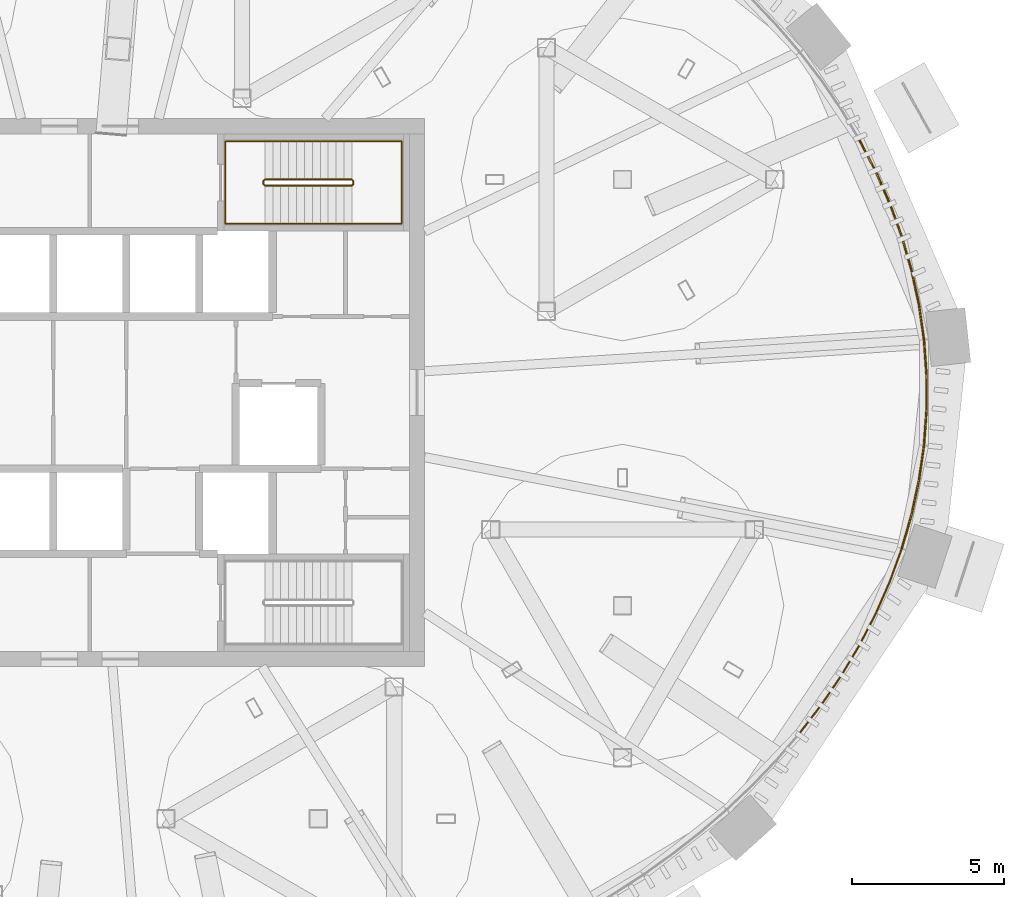
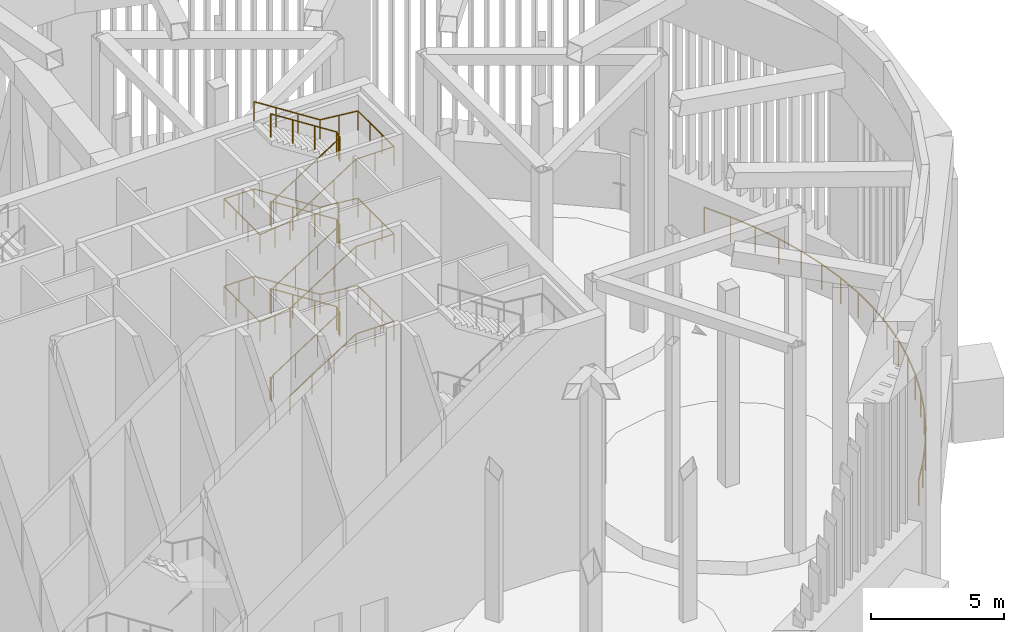
# One storey, part 13 of 14: 5 railings.
"""IFC4 building model written with IfcOpenShell, lengths in metres."""

from ifc_helpers import new_model, si_unit, direction, frame, origin, origin_2d, place, context, subcontext, project, spatial, circle, extrude, source, transform, mapped, material, type_object, element, save


model = new_model("IFC4")

# Units and contexts
model_context = context("Model", 3, precision=1e-05, world=origin(), true_north=direction((0.0, 1.0)))
body_context = subcontext(model_context, "Body", "Model", "MODEL_VIEW")
ifc_project = project(units=[si_unit("LENGTHUNIT", "METRE"), si_unit("AREAUNIT", "SQUARE_METRE"), si_unit("VOLUMEUNIT", "CUBIC_METRE"), si_unit("PLANEANGLEUNIT", "RADIAN"), si_unit("MASSUNIT", "GRAM", prefix="KILO")], contexts=[model_context])

# Site, building, storey
site_placement = place(None, origin())
site = spatial("IfcSite", under=ifc_project, at=site_placement, CompositionType="ELEMENT")
building_placement = place(site_placement, origin())
building = spatial("IfcBuilding", under=site, at=building_placement, Name="Embergate Tower", CompositionType="ELEMENT")
storey_placement = place(building_placement, frame((0.0, 0.0, 340.0)))
storey = spatial("IfcBuildingStorey", under=building, at=storey_placement, Name="L79", CompositionType="ELEMENT", Elevation=340.0)

# Railings
ifc_material_1 = material(Name="Steel Q355B", Category="steel")
railing_type_1 = type_object("IfcRailingType", Name="Slot edge guard", PredefinedType="GUARDRAIL", material=ifc_material_1)
shared_shape_1 = source(origin(), body_context, "Body", "SweptSolid", [
    extrude(circle(Radius=0.030029296875, at=origin_2d()), frame((0.0, 0.0, 1.169921875), z_axis=(-0.141599413092, 0.989924040627, 0.0), x_axis=(-0.989924040627, -0.141599413092, 0.0)), (0.0, 0.0, 1.0), 1.15185546875),
    extrude(circle(Radius=0.030029296875, at=origin_2d()), frame((-0.1630859375, 1.14013671875, 1.169921875), z_axis=(-0.210608768615, 0.977570430497, 0.0), x_axis=(-0.977570430497, -0.210608768615, 0.0)), (0.0, 0.0, 1.0), 1.157958984375),
    extrude(circle(Radius=0.030029296875, at=origin_2d()), frame((-0.406982421875, 2.272216796875, 1.169921875), z_axis=(-0.277127181901, 0.960833245184, 0.0), x_axis=(-0.960833245184, -0.277127181901, 0.0)), (0.0, 0.0, 1.0), 1.16552734375),
    extrude(circle(Radius=0.030029296875, at=origin_2d()), frame((-0.72998046875, 3.39208984375, 1.169921875), z_axis=(-0.340752323207, 0.940153101483, 0.0), x_axis=(-0.940153101483, -0.340752323207, 0.0)), (0.0, 0.0, 1.0), 1.147705078125),
    extrude(circle(Radius=0.030029296875, at=origin_2d()), frame((-1.12109375, 4.47119140625, 1.169921875), z_axis=(-0.402166680093, 0.915566470237, 0.0), x_axis=(-0.915566470237, -0.402166680093, 0.0)), (0.0, 0.0, 1.0), 1.158935546875),
    extrude(circle(Radius=0.030029296875, at=origin_2d()), frame((-1.587158203125, 5.5322265625, 1.169921875), z_axis=(-0.459094069098, 0.88838766072, 0.0), x_axis=(-0.88838766072, -0.459094069098, 0.0)), (0.0, 0.0, 1.0), 1.171630859375),
    extrude(circle(Radius=0.02490234375, at=origin_2d()), origin(), (0.0, 0.0, 1.0), 1.139892578125),
    extrude(circle(Radius=0.02490234375, at=origin_2d()), frame((-0.1630859375, 1.14013671875, 0.0)), (0.0, 0.0, 1.0), 1.139892578125),
    extrude(circle(Radius=0.02490234375, at=origin_2d()), frame((-0.406982421875, 2.272216796875, 0.0)), (0.0, 0.0, 1.0), 1.139892578125),
    extrude(circle(Radius=0.02490234375, at=origin_2d()), frame((-0.72998046875, 3.39208984375, 0.0)), (0.0, 0.0, 1.0), 1.139892578125),
    extrude(circle(Radius=0.02490234375, at=origin_2d()), frame((-1.12109375, 4.47119140625, 0.0)), (0.0, 0.0, 1.0), 1.139892578125),
    extrude(circle(Radius=0.02490234375, at=origin_2d()), frame((-1.587158203125, 5.5322265625, 0.0)), (0.0, 0.0, 1.0), 1.139892578125),
    extrude(circle(Radius=0.02490234375, at=origin_2d()), frame((-2.125, 6.572998046875, 0.0)), (0.0, 0.0, 1.0), 1.139892578125),
])
railing_1_placement = place(storey_placement, frame((27.403076171875, 1.73388671875, 0.0)))
element("IfcRailing", 1, at=railing_1_placement, inside=storey, type_object=railing_type_1, Name="GRD-L79-00", PredefinedType="GUARDRAIL", context=body_context, shape_type="MappedRepresentation", body=[
    mapped(shared_shape_1, transform((0.0, 0.0, 0.0))),
])
shared_shape_2 = source(origin(), body_context, "Body", "SweptSolid", [
    extrude(circle(Radius=0.030029296875, at=origin_2d()), frame((0.0, 0.0, 1.169921875), z_axis=(0.609299061567, 0.79294051074, 0.0), x_axis=(-0.79294051074, 0.609299061567, 0.0)), (0.0, 0.0, 1.0), 1.17529296875),
    extrude(circle(Radius=0.030029296875, at=origin_2d()), frame((0.716064453125, 0.931884765625, 1.169921875), z_axis=(0.562160279696, 0.827028306609, 0.0), x_axis=(-0.827028306609, 0.562160279696, 0.0)), (0.0, 0.0, 1.0), 1.15966796875),
    extrude(circle(Radius=0.030029296875, at=origin_2d()), frame((1.367919921875, 1.890869140625, 1.169921875), z_axis=(0.51273893643, 0.858544572558, 0.0), x_axis=(-0.858544572558, 0.51273893643, 0.0)), (0.0, 0.0, 1.0), 1.14501953125),
    extrude(circle(Radius=0.030029296875, at=origin_2d()), frame((1.955078125, 2.8740234375, 1.169921875), z_axis=(0.459094069098, 0.88838766072, 0.0), x_axis=(-0.88838766072, 0.459094069098, 0.0)), (0.0, 0.0, 1.0), 1.171630859375),
    extrude(circle(Radius=0.030029296875, at=origin_2d()), frame((2.492919921875, 3.914794921875, 1.169921875), z_axis=(0.402166680093, 0.915566470237, 0.0), x_axis=(-0.915566470237, 0.402166680093, 0.0)), (0.0, 0.0, 1.0), 1.158935546875),
    extrude(circle(Radius=0.030029296875, at=origin_2d()), frame((2.958984375, 4.975830078125, 1.169921875), z_axis=(0.340752323207, 0.940153101483, 0.0), x_axis=(-0.940153101483, 0.340752323207, 0.0)), (0.0, 0.0, 1.0), 1.147705078125),
    extrude(circle(Radius=0.02490234375, at=origin_2d()), origin(), (0.0, 0.0, 1.0), 1.139892578125),
    extrude(circle(Radius=0.02490234375, at=origin_2d()), frame((0.716064453125, 0.931884765625, 0.0)), (0.0, 0.0, 1.0), 1.139892578125),
    extrude(circle(Radius=0.02490234375, at=origin_2d()), frame((1.367919921875, 1.890869140625, 0.0)), (0.0, 0.0, 1.0), 1.139892578125),
    extrude(circle(Radius=0.02490234375, at=origin_2d()), frame((1.955078125, 2.8740234375, 0.0)), (0.0, 0.0, 1.0), 1.139892578125),
    extrude(circle(Radius=0.02490234375, at=origin_2d()), frame((2.492919921875, 3.914794921875, 0.0)), (0.0, 0.0, 1.0), 1.139892578125),
    extrude(circle(Radius=0.02490234375, at=origin_2d()), frame((2.958984375, 4.975830078125, 0.0)), (0.0, 0.0, 1.0), 1.139892578125),
    extrude(circle(Radius=0.02490234375, at=origin_2d()), frame((3.35009765625, 6.054931640625, 0.0)), (0.0, 0.0, 1.0), 1.139892578125),
])
railing_2_placement = place(storey_placement, frame((23.322998046875, -11.180908203125, 0.0)))
element("IfcRailing", 2, at=railing_2_placement, inside=storey, type_object=railing_type_1, Name="GRD-L79-20", PredefinedType="GUARDRAIL", context=body_context, shape_type="MappedRepresentation", body=[
    mapped(shared_shape_2, transform((0.0, 0.0, 0.0))),
])
shared_shape_3 = source(origin(), body_context, "Body", "SweptSolid", [
    extrude(circle(Radius=0.030029296875, at=origin_2d()), frame((0.0, 0.0, 1.169921875), z_axis=(0.277127181901, 0.960833245184, 0.0), x_axis=(-0.960833245184, 0.277127181901, 0.0)), (0.0, 0.0, 1.0), 1.16552734375),
    extrude(circle(Radius=0.030029296875, at=origin_2d()), frame((0.322998046875, 1.119873046875, 1.169921875), z_axis=(0.210608768615, 0.977570430497, 0.0), x_axis=(-0.977570430497, 0.210608768615, 0.0)), (0.0, 0.0, 1.0), 1.157958984375),
    extrude(circle(Radius=0.030029296875, at=origin_2d()), frame((0.56689453125, 2.251953125, 1.169921875), z_axis=(0.141599413092, 0.989924040627, 0.0), x_axis=(-0.989924040627, 0.141599413092, 0.0)), (0.0, 0.0, 1.0), 1.15185546875),
    extrude(circle(Radius=0.030029296875, at=origin_2d()), frame((0.72998046875, 3.39208984375, 1.169921875), z_axis=(0.071696618441, 0.997426485965, 0.0), x_axis=(-0.997426485965, 0.071696618441, 0.0)), (0.0, 0.0, 1.0), 1.15771484375),
    extrude(circle(Radius=0.030029296875, at=origin_2d()), frame((0.81298828125, 4.546875, 1.169921875), z_axis=(0.0, 1.0, 0.0), x_axis=(-1.0, 0.0, 0.0)), (0.0, 0.0, 1.0), 1.158203125),
    extrude(circle(Radius=0.030029296875, at=origin_2d()), frame((0.81298828125, 5.705078125, 1.169921875), z_axis=(-0.071696618441, 0.997426485965, 0.0), x_axis=(-0.997426485965, -0.071696618441, 0.0)), (0.0, 0.0, 1.0), 1.15771484375),
    extrude(circle(Radius=0.02490234375, at=origin_2d()), origin(), (0.0, 0.0, 1.0), 1.139892578125),
    extrude(circle(Radius=0.02490234375, at=origin_2d()), frame((0.322998046875, 1.119873046875, 0.0)), (0.0, 0.0, 1.0), 1.139892578125),
    extrude(circle(Radius=0.02490234375, at=origin_2d()), frame((0.56689453125, 2.251953125, 0.0)), (0.0, 0.0, 1.0), 1.139892578125),
    extrude(circle(Radius=0.02490234375, at=origin_2d()), frame((0.72998046875, 3.39208984375, 0.0)), (0.0, 0.0, 1.0), 1.139892578125),
    extrude(circle(Radius=0.02490234375, at=origin_2d()), frame((0.81298828125, 4.546875, 0.0)), (0.0, 0.0, 1.0), 1.139892578125),
    extrude(circle(Radius=0.02490234375, at=origin_2d()), frame((0.81298828125, 5.705078125, 0.0)), (0.0, 0.0, 1.0), 1.139892578125),
    extrude(circle(Radius=0.02490234375, at=origin_2d()), frame((0.72998046875, 6.85986328125, 0.0)), (0.0, 0.0, 1.0), 1.139892578125),
])
railing_3_placement = place(storey_placement, frame((26.673095703125, -5.1259765625, 0.0)))
element("IfcRailing", 3, at=railing_3_placement, inside=storey, type_object=railing_type_1, Name="GRD-L79-21", PredefinedType="GUARDRAIL", context=body_context, shape_type="MappedRepresentation", body=[
    mapped(shared_shape_3, transform((0.0, 0.0, 0.0))),
])
ifc_material_2 = material(Name="Stair guard 1100")
railing_type_2 = type_object("IfcRailingType", Name="Stair guard 1100", PredefinedType="GUARDRAIL", material=ifc_material_2)
shared_shape_4 = source(origin(), body_context, "Body", "SweptSolid", [
    extrude(circle(Radius=0.02392578125, at=origin_2d()), frame((0.0, 0.0, 1.076171875), z_axis=(0.0, -1.0, 0.0), x_axis=(1.0, 0.0, 0.0)), (0.0, 0.0, 1.0), 0.099853515625),
    extrude(circle(Radius=0.02392578125, at=origin_2d()), frame((0.0, -0.099853515625, 1.076171875), z_axis=(0.27628659633, -0.27628659633, 0.920506074601), x_axis=(0.707106781187, 0.707106781187, 0.0)), (0.0, 0.0, 1.0), 0.18115234375),
    extrude(circle(Radius=0.02392578125, at=origin_2d()), frame((0.050048828125, -0.14990234375, 1.24267578125), z_axis=(0.841899231129, 0.0, 0.539634769658), x_axis=(0.0, 1.0, 0.0)), (0.0, 0.0, 1.0), 3.397216796875),
    extrude(circle(Radius=0.02392578125, at=origin_2d()), frame((2.91015625, -0.14990234375, 3.076171875), z_axis=(0.705375805398, 0.708833529934, 0.0), x_axis=(-0.708833529934, 0.705375805398, 0.0)), (0.0, 0.0, 1.0), 0.070556640625),
    extrude(circle(Radius=0.02392578125, at=origin_2d()), frame((2.9599609375, -0.099853515625, 3.076171875), z_axis=(0.0, 1.0, 0.0), x_axis=(-1.0, 0.0, 0.0)), (0.0, 0.0, 1.0), 0.099853515625),
    extrude(circle(Radius=0.02392578125, at=origin_2d()), frame((2.9599609375, 0.0, 3.076171875), z_axis=(-0.275041040955, 0.276389281352, 0.920848191041), x_axis=(-0.708833529934, -0.705375805398, 0.0)), (0.0, 0.0, 1.0), 0.18115234375),
    extrude(circle(Radius=0.02392578125, at=origin_2d()), frame((2.91015625, 0.050048828125, 3.24267578125), z_axis=(-0.841899231129, 0.0, 0.539634769658), x_axis=(0.0, -1.0, 0.0)), (0.0, 0.0, 1.0), 3.397216796875),
    extrude(circle(Radius=0.02392578125, at=origin_2d()), frame((0.050048828125, 0.050048828125, 5.076171875), z_axis=(-0.707106781187, -0.707106781187, 0.0), x_axis=(0.707106781187, -0.707106781187, 0.0)), (0.0, 0.0, 1.0), 0.07080078125),
    extrude(circle(Radius=0.02392578125, at=origin_2d()), frame((0.0, 0.0, 5.076171875), z_axis=(0.0, -1.0, 0.0), x_axis=(1.0, 0.0, 0.0)), (0.0, 0.0, 1.0), 0.099853515625),
    extrude(circle(Radius=0.02392578125, at=origin_2d()), frame((0.0, -0.099853515625, 5.076171875), z_axis=(0.27628659633, -0.27628659633, 0.920506074601), x_axis=(0.707106781187, 0.707106781187, 0.0)), (0.0, 0.0, 1.0), 0.18115234375),
    extrude(circle(Radius=0.02392578125, at=origin_2d()), frame((0.050048828125, -0.14990234375, 5.24267578125), z_axis=(0.841899231129, 0.0, 0.539634769658), x_axis=(0.0, 1.0, 0.0)), (0.0, 0.0, 1.0), 3.397216796875),
    extrude(circle(Radius=0.02392578125, at=origin_2d()), frame((2.91015625, -0.14990234375, 7.076171875), z_axis=(0.705375805398, 0.708833529934, 0.0), x_axis=(-0.708833529934, 0.705375805398, 0.0)), (0.0, 0.0, 1.0), 0.070556640625),
    extrude(circle(Radius=0.02392578125, at=origin_2d()), frame((2.9599609375, -0.099853515625, 7.076171875), z_axis=(0.0, 1.0, 0.0), x_axis=(-1.0, 0.0, 0.0)), (0.0, 0.0, 1.0), 0.099853515625),
    extrude(circle(Radius=0.02392578125, at=origin_2d()), frame((2.9599609375, 0.0, 7.076171875), z_axis=(-0.275041040955, 0.276389281352, 0.920848191041), x_axis=(-0.708833529934, -0.705375805398, 0.0)), (0.0, 0.0, 1.0), 0.18115234375),
    extrude(circle(Radius=0.02392578125, at=origin_2d()), frame((2.91015625, 0.050048828125, 7.24267578125), z_axis=(-0.841899231129, 0.0, 0.539634769658), x_axis=(0.0, -1.0, 0.0)), (0.0, 0.0, 1.0), 3.397216796875),
    extrude(circle(Radius=0.02392578125, at=origin_2d()), frame((0.050048828125, 0.050048828125, 9.076171875), z_axis=(-0.707106781187, -0.707106781187, 0.0), x_axis=(0.707106781187, -0.707106781187, 0.0)), (0.0, 0.0, 1.0), 0.07080078125),
    extrude(circle(Radius=0.02392578125, at=origin_2d()), frame((0.0, 0.0, 9.076171875), z_axis=(0.0, -1.0, 0.0), x_axis=(1.0, 0.0, 0.0)), (0.0, 0.0, 1.0), 0.099853515625),
    extrude(circle(Radius=0.02392578125, at=origin_2d()), frame((0.0, -0.099853515625, 9.076171875), z_axis=(0.27628659633, -0.27628659633, 0.920506074601), x_axis=(0.707106781187, 0.707106781187, 0.0)), (0.0, 0.0, 1.0), 0.18115234375),
    extrude(circle(Radius=0.02392578125, at=origin_2d()), frame((0.050048828125, -0.14990234375, 9.24267578125), z_axis=(0.841899231129, 0.0, 0.539634769658), x_axis=(0.0, 1.0, 0.0)), (0.0, 0.0, 1.0), 3.397216796875),
    extrude(circle(Radius=0.02392578125, at=origin_2d()), frame((2.91015625, -0.14990234375, 11.076171875), z_axis=(0.705375805398, 0.708833529934, 0.0), x_axis=(-0.708833529934, 0.705375805398, 0.0)), (0.0, 0.0, 1.0), 0.070556640625),
    extrude(circle(Radius=0.02392578125, at=origin_2d()), frame((2.9599609375, -0.099853515625, 11.076171875), z_axis=(0.0, 1.0, 0.0), x_axis=(-1.0, 0.0, 0.0)), (0.0, 0.0, 1.0), 0.099853515625),
    extrude(circle(Radius=0.02392578125, at=origin_2d()), frame((2.9599609375, 0.0, 11.076171875), z_axis=(-0.275041040955, 0.276389281352, 0.920848191041), x_axis=(-0.708833529934, -0.705375805398, 0.0)), (0.0, 0.0, 1.0), 0.18115234375),
    extrude(circle(Radius=0.02392578125, at=origin_2d()), frame((2.91015625, 0.050048828125, 11.24267578125), z_axis=(-0.841899231129, 0.0, 0.539634769658), x_axis=(0.0, -1.0, 0.0)), (0.0, 0.0, 1.0), 3.397216796875),
    extrude(circle(Radius=0.02099609375, at=origin_2d()), origin(), (0.0, 0.0, 1.0), 1.052001953125),
    extrude(circle(Radius=0.02099609375, at=origin_2d()), frame((0.0, -0.099853515625, 0.0)), (0.0, 0.0, 1.0), 1.052001953125),
    extrude(circle(Radius=0.02099609375, at=origin_2d()), frame((0.050048828125, -0.14990234375, 0.166748046875)), (0.0, 0.0, 1.0), 1.052001953125),
    extrude(circle(Radius=0.02099609375, at=origin_2d()), frame((1.00341796875, -0.14990234375, 0.77783203125)), (0.0, 0.0, 1.0), 1.052001953125),
    extrude(circle(Radius=0.02099609375, at=origin_2d()), frame((1.956787109375, -0.14990234375, 1.388916015625)), (0.0, 0.0, 1.0), 1.052001953125),
    extrude(circle(Radius=0.02099609375, at=origin_2d()), frame((2.91015625, -0.14990234375, 2.0)), (0.0, 0.0, 1.0), 1.052001953125),
    extrude(circle(Radius=0.02099609375, at=origin_2d()), frame((2.9599609375, -0.099853515625, 2.0)), (0.0, 0.0, 1.0), 1.052001953125),
    extrude(circle(Radius=0.02099609375, at=origin_2d()), frame((2.9599609375, 0.0, 2.0)), (0.0, 0.0, 1.0), 1.052001953125),
    extrude(circle(Radius=0.02099609375, at=origin_2d()), frame((2.91015625, 0.050048828125, 2.166748046875)), (0.0, 0.0, 1.0), 1.052001953125),
    extrude(circle(Radius=0.02099609375, at=origin_2d()), frame((1.956787109375, 0.050048828125, 2.77783203125)), (0.0, 0.0, 1.0), 1.052001953125),
    extrude(circle(Radius=0.02099609375, at=origin_2d()), frame((1.00341796875, 0.050048828125, 3.388916015625)), (0.0, 0.0, 1.0), 1.052001953125),
    extrude(circle(Radius=0.02099609375, at=origin_2d()), frame((0.050048828125, 0.050048828125, 4.0)), (0.0, 0.0, 1.0), 1.052001953125),
    extrude(circle(Radius=0.02099609375, at=origin_2d()), frame((0.0, 0.0, 4.0)), (0.0, 0.0, 1.0), 1.052001953125),
    extrude(circle(Radius=0.02099609375, at=origin_2d()), frame((0.0, -0.099853515625, 4.0)), (0.0, 0.0, 1.0), 1.052001953125),
    extrude(circle(Radius=0.02099609375, at=origin_2d()), frame((0.050048828125, -0.14990234375, 4.166748046875)), (0.0, 0.0, 1.0), 1.052001953125),
    extrude(circle(Radius=0.02099609375, at=origin_2d()), frame((1.00341796875, -0.14990234375, 4.77783203125)), (0.0, 0.0, 1.0), 1.052001953125),
    extrude(circle(Radius=0.02099609375, at=origin_2d()), frame((1.956787109375, -0.14990234375, 5.388916015625)), (0.0, 0.0, 1.0), 1.052001953125),
    extrude(circle(Radius=0.02099609375, at=origin_2d()), frame((2.91015625, -0.14990234375, 6.0)), (0.0, 0.0, 1.0), 1.052001953125),
    extrude(circle(Radius=0.02099609375, at=origin_2d()), frame((2.9599609375, -0.099853515625, 6.0)), (0.0, 0.0, 1.0), 1.052001953125),
    extrude(circle(Radius=0.02099609375, at=origin_2d()), frame((2.9599609375, 0.0, 6.0)), (0.0, 0.0, 1.0), 1.052001953125),
    extrude(circle(Radius=0.02099609375, at=origin_2d()), frame((2.91015625, 0.050048828125, 6.166748046875)), (0.0, 0.0, 1.0), 1.052001953125),
    extrude(circle(Radius=0.02099609375, at=origin_2d()), frame((1.956787109375, 0.050048828125, 6.77783203125)), (0.0, 0.0, 1.0), 1.052001953125),
    extrude(circle(Radius=0.02099609375, at=origin_2d()), frame((1.00341796875, 0.050048828125, 7.388916015625)), (0.0, 0.0, 1.0), 1.052001953125),
    extrude(circle(Radius=0.02099609375, at=origin_2d()), frame((0.050048828125, 0.050048828125, 8.0)), (0.0, 0.0, 1.0), 1.052001953125),
    extrude(circle(Radius=0.02099609375, at=origin_2d()), frame((0.0, 0.0, 8.0)), (0.0, 0.0, 1.0), 1.052001953125),
    extrude(circle(Radius=0.02099609375, at=origin_2d()), frame((0.0, -0.099853515625, 8.0)), (0.0, 0.0, 1.0), 1.052001953125),
    extrude(circle(Radius=0.02099609375, at=origin_2d()), frame((0.050048828125, -0.14990234375, 8.166748046875)), (0.0, 0.0, 1.0), 1.052001953125),
    extrude(circle(Radius=0.02099609375, at=origin_2d()), frame((1.00341796875, -0.14990234375, 8.77783203125)), (0.0, 0.0, 1.0), 1.052001953125),
    extrude(circle(Radius=0.02099609375, at=origin_2d()), frame((1.956787109375, -0.14990234375, 9.388916015625)), (0.0, 0.0, 1.0), 1.052001953125),
    extrude(circle(Radius=0.02099609375, at=origin_2d()), frame((2.91015625, -0.14990234375, 10.0)), (0.0, 0.0, 1.0), 1.052001953125),
    extrude(circle(Radius=0.02099609375, at=origin_2d()), frame((2.9599609375, -0.099853515625, 10.0)), (0.0, 0.0, 1.0), 1.052001953125),
    extrude(circle(Radius=0.02099609375, at=origin_2d()), frame((2.9599609375, 0.0, 10.0)), (0.0, 0.0, 1.0), 1.052001953125),
    extrude(circle(Radius=0.02099609375, at=origin_2d()), frame((2.91015625, 0.050048828125, 10.166748046875)), (0.0, 0.0, 1.0), 1.052001953125),
    extrude(circle(Radius=0.02099609375, at=origin_2d()), frame((1.956787109375, 0.050048828125, 10.77783203125)), (0.0, 0.0, 1.0), 1.052001953125),
    extrude(circle(Radius=0.02099609375, at=origin_2d()), frame((1.00341796875, 0.050048828125, 11.388916015625)), (0.0, 0.0, 1.0), 1.052001953125),
    extrude(circle(Radius=0.02099609375, at=origin_2d()), frame((0.050048828125, 0.050048828125, 12.0)), (0.0, 0.0, 1.0), 1.052001953125),
])
railing_4_placement = place(storey_placement, frame((5.699951171875, 6.949951171875, 0.0)))
element("IfcRailing", 4, at=railing_4_placement, inside=storey, type_object=railing_type_2, Name="L79 ST2 stair guard 1", PredefinedType="GUARDRAIL", context=body_context, shape_type="MappedRepresentation", body=[
    mapped(shared_shape_4, transform((0.0, 0.0, 0.0))),
])
ifc_material_3 = material(Name="Stair handrail 900")
railing_type_3 = type_object("IfcRailingType", Name="Stair handrail 900", PredefinedType="HANDRAIL", material=ifc_material_3)
shared_shape_5 = source(origin(), body_context, "Body", "SweptSolid", [
    extrude(circle(Radius=0.02392578125, at=origin_2d()), frame((0.0, 0.0, 0.8759765625), z_axis=(0.841899231129, 0.0, 0.539634769658), x_axis=(0.0, 1.0, 0.0)), (0.0, 0.0, 1.0), 3.397216796875),
    extrude(circle(Radius=0.02392578125, at=origin_2d()), frame((2.860107421875, 0.0, 2.708984375), z_axis=(1.0, 0.0, 0.0), x_axis=(0.0, 1.0, 0.0)), (0.0, 0.0, 1.0), 1.639892578125),
    extrude(circle(Radius=0.02392578125, at=origin_2d()), frame((4.5, 0.0, 2.708984375), z_axis=(0.0, 1.0, 0.0), x_axis=(-1.0, 0.0, 0.0)), (0.0, 0.0, 1.0), 2.699951171875),
    extrude(circle(Radius=0.02392578125, at=origin_2d()), frame((4.5, 2.699951171875, 2.708984375), z_axis=(-0.99487010061, 0.0, 0.101160678683), x_axis=(0.0, -1.0, 0.0)), (0.0, 0.0, 1.0), 1.6484375),
    extrude(circle(Radius=0.02392578125, at=origin_2d()), frame((2.860107421875, 2.699951171875, 2.8759765625), z_axis=(-0.841899231129, 0.0, 0.539634769658), x_axis=(0.0, -1.0, 0.0)), (0.0, 0.0, 1.0), 3.397216796875),
    extrude(circle(Radius=0.02392578125, at=origin_2d()), frame((0.0, 2.699951171875, 4.708984375), z_axis=(-1.0, 0.0, 0.0), x_axis=(0.0, -1.0, 0.0)), (0.0, 0.0, 1.0), 1.300048828125),
    extrude(circle(Radius=0.02392578125, at=origin_2d()), frame((-1.300048828125, 2.699951171875, 4.708984375), z_axis=(0.0, -1.0, 0.0), x_axis=(1.0, 0.0, 0.0)), (0.0, 0.0, 1.0), 2.699951171875),
    extrude(circle(Radius=0.02392578125, at=origin_2d()), frame((-1.300048828125, 0.0, 4.708984375), z_axis=(0.991874434073, 0.0, 0.12722070206), x_axis=(0.0, 1.0, 0.0)), (0.0, 0.0, 1.0), 1.310791015625),
    extrude(circle(Radius=0.02392578125, at=origin_2d()), frame((0.0, 0.0, 4.8759765625), z_axis=(0.841899231129, 0.0, 0.539634769658), x_axis=(0.0, 1.0, 0.0)), (0.0, 0.0, 1.0), 3.397216796875),
    extrude(circle(Radius=0.02392578125, at=origin_2d()), frame((2.860107421875, 0.0, 6.708984375), z_axis=(1.0, 0.0, 0.0), x_axis=(0.0, 1.0, 0.0)), (0.0, 0.0, 1.0), 1.639892578125),
    extrude(circle(Radius=0.02392578125, at=origin_2d()), frame((4.5, 0.0, 6.708984375), z_axis=(0.0, 1.0, 0.0), x_axis=(-1.0, 0.0, 0.0)), (0.0, 0.0, 1.0), 2.699951171875),
    extrude(circle(Radius=0.02392578125, at=origin_2d()), frame((4.5, 2.699951171875, 6.708984375), z_axis=(-0.99487010061, 0.0, 0.101160678683), x_axis=(0.0, -1.0, 0.0)), (0.0, 0.0, 1.0), 1.6484375),
    extrude(circle(Radius=0.02392578125, at=origin_2d()), frame((2.860107421875, 2.699951171875, 6.8759765625), z_axis=(-0.841899231129, 0.0, 0.539634769658), x_axis=(0.0, -1.0, 0.0)), (0.0, 0.0, 1.0), 3.397216796875),
    extrude(circle(Radius=0.02392578125, at=origin_2d()), frame((0.0, 2.699951171875, 8.708984375), z_axis=(-1.0, 0.0, 0.0), x_axis=(0.0, -1.0, 0.0)), (0.0, 0.0, 1.0), 1.300048828125),
    extrude(circle(Radius=0.02392578125, at=origin_2d()), frame((-1.300048828125, 2.699951171875, 8.708984375), z_axis=(0.0, -1.0, 0.0), x_axis=(1.0, 0.0, 0.0)), (0.0, 0.0, 1.0), 2.699951171875),
    extrude(circle(Radius=0.02392578125, at=origin_2d()), frame((-1.300048828125, 0.0, 8.708984375), z_axis=(0.991874434073, 0.0, 0.12722070206), x_axis=(0.0, 1.0, 0.0)), (0.0, 0.0, 1.0), 1.310791015625),
    extrude(circle(Radius=0.02392578125, at=origin_2d()), frame((0.0, 0.0, 8.8759765625), z_axis=(0.841899231129, 0.0, 0.539634769658), x_axis=(0.0, 1.0, 0.0)), (0.0, 0.0, 1.0), 3.397216796875),
    extrude(circle(Radius=0.02392578125, at=origin_2d()), frame((2.860107421875, 0.0, 10.708984375), z_axis=(1.0, 0.0, 0.0), x_axis=(0.0, 1.0, 0.0)), (0.0, 0.0, 1.0), 1.639892578125),
    extrude(circle(Radius=0.02392578125, at=origin_2d()), frame((4.5, 0.0, 10.708984375), z_axis=(0.0, 1.0, 0.0), x_axis=(-1.0, 0.0, 0.0)), (0.0, 0.0, 1.0), 2.699951171875),
    extrude(circle(Radius=0.02392578125, at=origin_2d()), frame((4.5, 2.699951171875, 10.708984375), z_axis=(-0.99487010061, 0.0, 0.101160678683), x_axis=(0.0, -1.0, 0.0)), (0.0, 0.0, 1.0), 1.6484375),
    extrude(circle(Radius=0.02392578125, at=origin_2d()), frame((2.860107421875, 2.699951171875, 10.8759765625), z_axis=(-0.841899231129, 0.0, 0.539634769658), x_axis=(0.0, -1.0, 0.0)), (0.0, 0.0, 1.0), 3.397216796875),
    extrude(circle(Radius=0.02099609375, at=origin_2d()), origin(), (0.0, 0.0, 1.0), 0.851806640625),
    extrude(circle(Radius=0.02099609375, at=origin_2d()), frame((0.953369140625, 0.0, 0.611083984375)), (0.0, 0.0, 1.0), 0.851806640625),
    extrude(circle(Radius=0.02099609375, at=origin_2d()), frame((1.90673828125, 0.0, 1.22216796875)), (0.0, 0.0, 1.0), 0.851806640625),
    extrude(circle(Radius=0.02099609375, at=origin_2d()), frame((2.860107421875, 0.0, 1.833251953125)), (0.0, 0.0, 1.0), 0.851806640625),
    extrude(circle(Radius=0.02099609375, at=origin_2d()), frame((3.68017578125, 0.0, 1.833251953125)), (0.0, 0.0, 1.0), 0.851806640625),
    extrude(circle(Radius=0.02099609375, at=origin_2d()), frame((4.5, 0.0, 1.833251953125)), (0.0, 0.0, 1.0), 0.851806640625),
    extrude(circle(Radius=0.02099609375, at=origin_2d()), frame((4.5, 0.89990234375, 1.833251953125)), (0.0, 0.0, 1.0), 0.851806640625),
    extrude(circle(Radius=0.02099609375, at=origin_2d()), frame((4.5, 1.800048828125, 1.833251953125)), (0.0, 0.0, 1.0), 0.851806640625),
    extrude(circle(Radius=0.02099609375, at=origin_2d()), frame((4.5, 2.699951171875, 1.833251953125)), (0.0, 0.0, 1.0), 0.851806640625),
    extrude(circle(Radius=0.02099609375, at=origin_2d()), frame((3.68017578125, 2.699951171875, 1.91650390625)), (0.0, 0.0, 1.0), 0.851806640625),
    extrude(circle(Radius=0.02099609375, at=origin_2d()), frame((2.860107421875, 2.699951171875, 2.0)), (0.0, 0.0, 1.0), 0.851806640625),
    extrude(circle(Radius=0.02099609375, at=origin_2d()), frame((1.90673828125, 2.699951171875, 2.611083984375)), (0.0, 0.0, 1.0), 0.851806640625),
    extrude(circle(Radius=0.02099609375, at=origin_2d()), frame((0.953369140625, 2.699951171875, 3.22216796875)), (0.0, 0.0, 1.0), 0.851806640625),
    extrude(circle(Radius=0.02099609375, at=origin_2d()), frame((0.0, 2.699951171875, 3.833251953125)), (0.0, 0.0, 1.0), 0.851806640625),
    extrude(circle(Radius=0.02099609375, at=origin_2d()), frame((-0.64990234375, 2.699951171875, 3.833251953125)), (0.0, 0.0, 1.0), 0.851806640625),
    extrude(circle(Radius=0.02099609375, at=origin_2d()), frame((-1.300048828125, 2.699951171875, 3.833251953125)), (0.0, 0.0, 1.0), 0.851806640625),
    extrude(circle(Radius=0.02099609375, at=origin_2d()), frame((-1.300048828125, 1.800048828125, 3.833251953125)), (0.0, 0.0, 1.0), 0.851806640625),
    extrude(circle(Radius=0.02099609375, at=origin_2d()), frame((-1.300048828125, 0.89990234375, 3.833251953125)), (0.0, 0.0, 1.0), 0.851806640625),
    extrude(circle(Radius=0.02099609375, at=origin_2d()), frame((-1.300048828125, 0.0, 3.833251953125)), (0.0, 0.0, 1.0), 0.851806640625),
    extrude(circle(Radius=0.02099609375, at=origin_2d()), frame((-0.64990234375, 0.0, 3.91650390625)), (0.0, 0.0, 1.0), 0.851806640625),
    extrude(circle(Radius=0.02099609375, at=origin_2d()), frame((0.0, 0.0, 4.0)), (0.0, 0.0, 1.0), 0.851806640625),
    extrude(circle(Radius=0.02099609375, at=origin_2d()), frame((0.953369140625, 0.0, 4.611083984375)), (0.0, 0.0, 1.0), 0.851806640625),
    extrude(circle(Radius=0.02099609375, at=origin_2d()), frame((1.90673828125, 0.0, 5.22216796875)), (0.0, 0.0, 1.0), 0.851806640625),
    extrude(circle(Radius=0.02099609375, at=origin_2d()), frame((2.860107421875, 0.0, 5.833251953125)), (0.0, 0.0, 1.0), 0.851806640625),
    extrude(circle(Radius=0.02099609375, at=origin_2d()), frame((3.68017578125, 0.0, 5.833251953125)), (0.0, 0.0, 1.0), 0.851806640625),
    extrude(circle(Radius=0.02099609375, at=origin_2d()), frame((4.5, 0.0, 5.833251953125)), (0.0, 0.0, 1.0), 0.851806640625),
    extrude(circle(Radius=0.02099609375, at=origin_2d()), frame((4.5, 0.89990234375, 5.833251953125)), (0.0, 0.0, 1.0), 0.851806640625),
    extrude(circle(Radius=0.02099609375, at=origin_2d()), frame((4.5, 1.800048828125, 5.833251953125)), (0.0, 0.0, 1.0), 0.851806640625),
    extrude(circle(Radius=0.02099609375, at=origin_2d()), frame((4.5, 2.699951171875, 5.833251953125)), (0.0, 0.0, 1.0), 0.851806640625),
    extrude(circle(Radius=0.02099609375, at=origin_2d()), frame((3.68017578125, 2.699951171875, 5.91650390625)), (0.0, 0.0, 1.0), 0.851806640625),
    extrude(circle(Radius=0.02099609375, at=origin_2d()), frame((2.860107421875, 2.699951171875, 6.0)), (0.0, 0.0, 1.0), 0.851806640625),
    extrude(circle(Radius=0.02099609375, at=origin_2d()), frame((1.90673828125, 2.699951171875, 6.611083984375)), (0.0, 0.0, 1.0), 0.851806640625),
    extrude(circle(Radius=0.02099609375, at=origin_2d()), frame((0.953369140625, 2.699951171875, 7.22216796875)), (0.0, 0.0, 1.0), 0.851806640625),
    extrude(circle(Radius=0.02099609375, at=origin_2d()), frame((0.0, 2.699951171875, 7.833251953125)), (0.0, 0.0, 1.0), 0.851806640625),
    extrude(circle(Radius=0.02099609375, at=origin_2d()), frame((-0.64990234375, 2.699951171875, 7.833251953125)), (0.0, 0.0, 1.0), 0.851806640625),
    extrude(circle(Radius=0.02099609375, at=origin_2d()), frame((-1.300048828125, 2.699951171875, 7.833251953125)), (0.0, 0.0, 1.0), 0.851806640625),
    extrude(circle(Radius=0.02099609375, at=origin_2d()), frame((-1.300048828125, 1.800048828125, 7.833251953125)), (0.0, 0.0, 1.0), 0.851806640625),
    extrude(circle(Radius=0.02099609375, at=origin_2d()), frame((-1.300048828125, 0.89990234375, 7.833251953125)), (0.0, 0.0, 1.0), 0.851806640625),
    extrude(circle(Radius=0.02099609375, at=origin_2d()), frame((-1.300048828125, 0.0, 7.833251953125)), (0.0, 0.0, 1.0), 0.851806640625),
    extrude(circle(Radius=0.02099609375, at=origin_2d()), frame((-0.64990234375, 0.0, 7.91650390625)), (0.0, 0.0, 1.0), 0.851806640625),
    extrude(circle(Radius=0.02099609375, at=origin_2d()), frame((0.0, 0.0, 8.0)), (0.0, 0.0, 1.0), 0.851806640625),
    extrude(circle(Radius=0.02099609375, at=origin_2d()), frame((0.953369140625, 0.0, 8.611083984375)), (0.0, 0.0, 1.0), 0.851806640625),
    extrude(circle(Radius=0.02099609375, at=origin_2d()), frame((1.90673828125, 0.0, 9.22216796875)), (0.0, 0.0, 1.0), 0.851806640625),
    extrude(circle(Radius=0.02099609375, at=origin_2d()), frame((2.860107421875, 0.0, 9.833251953125)), (0.0, 0.0, 1.0), 0.851806640625),
    extrude(circle(Radius=0.02099609375, at=origin_2d()), frame((3.68017578125, 0.0, 9.833251953125)), (0.0, 0.0, 1.0), 0.851806640625),
    extrude(circle(Radius=0.02099609375, at=origin_2d()), frame((4.5, 0.0, 9.833251953125)), (0.0, 0.0, 1.0), 0.851806640625),
    extrude(circle(Radius=0.02099609375, at=origin_2d()), frame((4.5, 0.89990234375, 9.833251953125)), (0.0, 0.0, 1.0), 0.851806640625),
    extrude(circle(Radius=0.02099609375, at=origin_2d()), frame((4.5, 1.800048828125, 9.833251953125)), (0.0, 0.0, 1.0), 0.851806640625),
    extrude(circle(Radius=0.02099609375, at=origin_2d()), frame((4.5, 2.699951171875, 9.833251953125)), (0.0, 0.0, 1.0), 0.851806640625),
    extrude(circle(Radius=0.02099609375, at=origin_2d()), frame((3.68017578125, 2.699951171875, 9.91650390625)), (0.0, 0.0, 1.0), 0.851806640625),
    extrude(circle(Radius=0.02099609375, at=origin_2d()), frame((2.860107421875, 2.699951171875, 10.0)), (0.0, 0.0, 1.0), 0.851806640625),
    extrude(circle(Radius=0.02099609375, at=origin_2d()), frame((1.90673828125, 2.699951171875, 10.611083984375)), (0.0, 0.0, 1.0), 0.851806640625),
    extrude(circle(Radius=0.02099609375, at=origin_2d()), frame((0.953369140625, 2.699951171875, 11.22216796875)), (0.0, 0.0, 1.0), 0.851806640625),
    extrude(circle(Radius=0.02099609375, at=origin_2d()), frame((0.0, 2.699951171875, 11.833251953125)), (0.0, 0.0, 1.0), 0.851806640625),
])
railing_5_placement = place(storey_placement, frame((5.75, 5.550048828125, 0.166748046875)))
element("IfcRailing", 5, at=railing_5_placement, inside=storey, type_object=railing_type_3, Name="L79 ST2 stair handrail 1", PredefinedType="HANDRAIL", context=body_context, shape_type="MappedRepresentation", body=[
    mapped(shared_shape_5, transform((0.0, 0.0, 0.0))),
])

save(model, "model.ifc")
